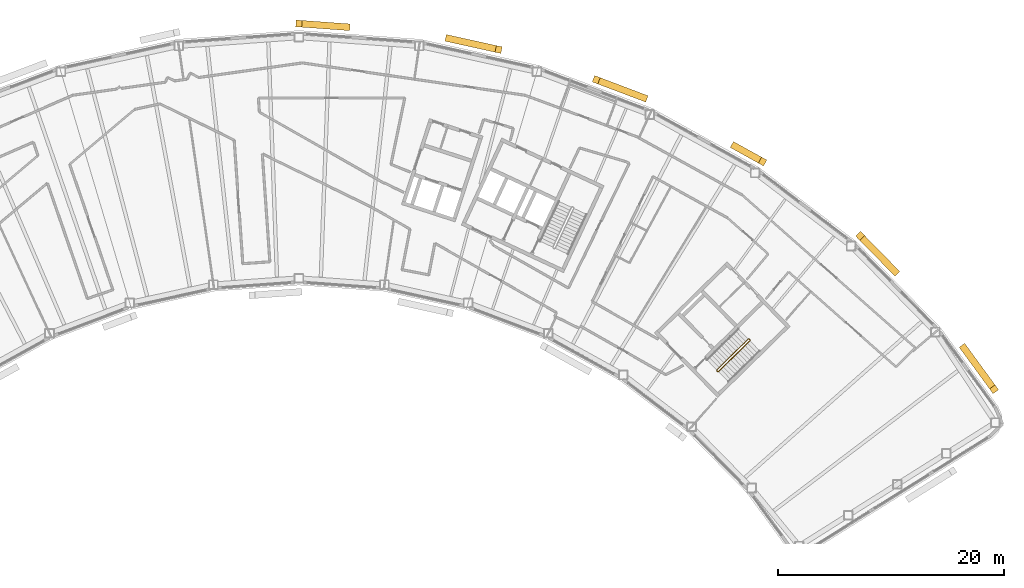
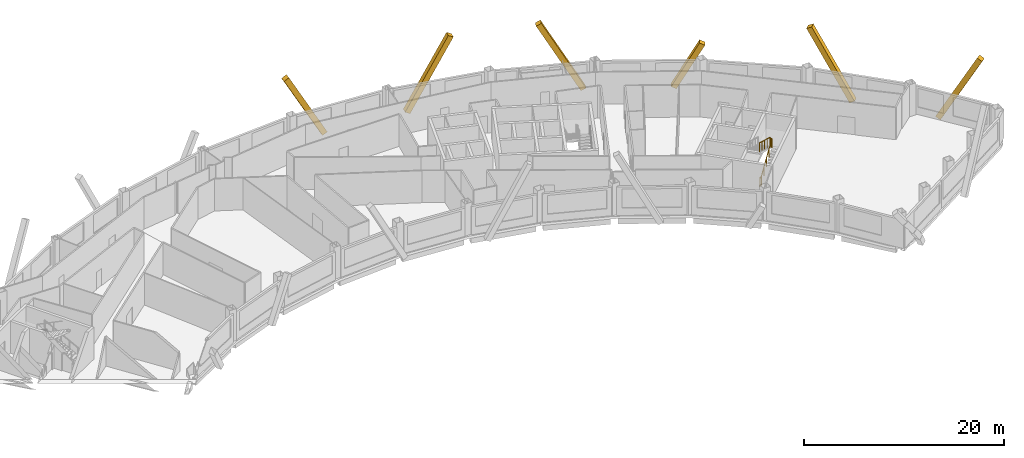
# One storey, part 14 of 14: 6 coverings, 1 railing.
"""IFC4 building model written with IfcOpenShell, lengths in metres."""

from ifc_helpers import new_model, si_unit, direction, frame, origin, origin_2d, place, context, subcontext, project, spatial, rectangle, circle, extrude, material, material_profile, profile_set, type_object, element, save


model = new_model("IFC4")

# Units and contexts
model_context = context("Model", 3, precision=1e-05, world=origin(), true_north=direction((0.0, 1.0)))
body_context = subcontext(model_context, "Body", "Model", "MODEL_VIEW")
ifc_project = project(units=[si_unit("LENGTHUNIT", "METRE"), si_unit("AREAUNIT", "SQUARE_METRE"), si_unit("VOLUMEUNIT", "CUBIC_METRE"), si_unit("PLANEANGLEUNIT", "RADIAN"), si_unit("MASSUNIT", "GRAM", prefix="KILO")], contexts=[model_context])

# Site, building, storey
site_placement = place(None, origin())
site = spatial("IfcSite", under=ifc_project, at=site_placement, CompositionType="ELEMENT")
building_placement = place(site_placement, origin())
building = spatial("IfcBuilding", under=site, at=building_placement, Name="Tuul Gate Civic Tower", CompositionType="ELEMENT")
storey_placement = place(building_placement, frame((0.0, 0.0, 265.199951171875)))
storey = spatial("IfcBuildingStorey", under=building, at=storey_placement, Name="Level 60", CompositionType="ELEMENT", Elevation=265.199951171875)

# Railing
ifc_material_1 = material(Name="Painted steel", Category="steel")
railing_type = type_object("IfcRailingType", Name="Stair guard", PredefinedType="GUARDRAIL", material=ifc_material_1)
railing_placement = place(storey_placement, frame((48.10546875, -16.134765625, 0.0)))
element("IfcRailing", 1, at=railing_placement, inside=storey, type_object=railing_type, Name="Level 60 ST-3 stair guard 1", PredefinedType="GUARDRAIL", context=body_context, shape_type="SweptSolid", body=[
    extrude(circle(Radius=0.02392578125, at=origin_2d()), frame((0.0, 0.0, 1.076171875), z_axis=(-0.698506948293, 0.715603272202, 0.0), x_axis=(-0.715603272202, -0.698506948293, 0.0)), (0.0, 0.0, 1.0), 0.099853515625),
    extrude(circle(Radius=0.02392578125, at=origin_2d()), frame((-0.06982421875, 0.071533203125, 1.076171875), z_axis=(0.644948864628, -0.331432055434, 0.688617277337), x_axis=(0.457068866502, 0.889431307788, 0.0)), (0.0, 0.0, 1.0), 0.218017578125),
    extrude(circle(Radius=0.02392578125, at=origin_2d()), frame((0.07080078125, -0.000732421875, 1.22607421875), z_axis=(0.638731261263, 0.626133563701, 0.447190268558), x_axis=(-0.700029477518, 0.714113947914, 0.0)), (0.0, 0.0, 1.0), 4.3603515625),
    extrude(circle(Radius=0.02392578125, at=origin_2d()), frame((2.85595703125, 2.7294921875, 3.17626953125), z_axis=(0.010380063588, 0.999946125689, 0.0), x_axis=(-0.999946125689, 0.010380063588, 0.0)), (0.0, 0.0, 1.0), 0.070556640625),
    extrude(circle(Radius=0.02392578125, at=origin_2d()), frame((2.856689453125, 2.800048828125, 3.17626953125), z_axis=(-0.699754442181, 0.714383454909, 0.0), x_axis=(-0.714383454909, -0.699754442181, 0.0)), (0.0, 0.0, 1.0), 0.10009765625),
    extrude(circle(Radius=0.02392578125, at=origin_2d()), frame((2.78662109375, 2.87158203125, 3.17626953125), z_axis=(-0.427069033481, 0.004417955519, 0.904208229508), x_axis=(-0.010344274102, -0.999946496565, 0.0)), (0.0, 0.0, 1.0), 0.165771484375),
    extrude(circle(Radius=0.02392578125, at=origin_2d()), frame((2.7158203125, 2.872314453125, 3.326171875), z_axis=(-0.638731261263, -0.626133563701, 0.447190268558), x_axis=(0.700029477518, -0.714113947914, 0.0)), (0.0, 0.0, 1.0), 4.3603515625),
    extrude(circle(Radius=0.02099609375, at=origin_2d()), origin(), (0.0, 0.0, 1.0), 1.052001953125),
    extrude(circle(Radius=0.02099609375, at=origin_2d()), frame((-0.06982421875, 0.071533203125, 0.0)), (0.0, 0.0, 1.0), 1.052001953125),
    extrude(circle(Radius=0.02099609375, at=origin_2d()), frame((0.07080078125, -0.000732421875, 0.150146484375)), (0.0, 0.0, 1.0), 1.052001953125),
    extrude(circle(Radius=0.02099609375, at=origin_2d()), frame((0.76708984375, 0.681884765625, 0.6376953125)), (0.0, 0.0, 1.0), 1.052001953125),
    extrude(circle(Radius=0.02099609375, at=origin_2d()), frame((1.46337890625, 1.3642578125, 1.125)), (0.0, 0.0, 1.0), 1.052001953125),
    extrude(circle(Radius=0.02099609375, at=origin_2d()), frame((2.15966796875, 2.046875, 1.612548828125)), (0.0, 0.0, 1.0), 1.052001953125),
    extrude(circle(Radius=0.02099609375, at=origin_2d()), frame((2.85595703125, 2.7294921875, 2.10009765625)), (0.0, 0.0, 1.0), 1.052001953125),
    extrude(circle(Radius=0.02099609375, at=origin_2d()), frame((2.856689453125, 2.800048828125, 2.10009765625)), (0.0, 0.0, 1.0), 1.052001953125),
    extrude(circle(Radius=0.02099609375, at=origin_2d()), frame((2.78662109375, 2.87158203125, 2.10009765625)), (0.0, 0.0, 1.0), 1.052001953125),
    extrude(circle(Radius=0.02099609375, at=origin_2d()), frame((2.7158203125, 2.872314453125, 2.25)), (0.0, 0.0, 1.0), 1.052001953125),
    extrude(circle(Radius=0.02099609375, at=origin_2d()), frame((2.01953125, 2.189697265625, 2.737548828125)), (0.0, 0.0, 1.0), 1.052001953125),
    extrude(circle(Radius=0.02099609375, at=origin_2d()), frame((1.3232421875, 1.50732421875, 3.22509765625)), (0.0, 0.0, 1.0), 1.052001953125),
    extrude(circle(Radius=0.02099609375, at=origin_2d()), frame((0.626953125, 0.82470703125, 3.71240234375)), (0.0, 0.0, 1.0), 1.052001953125),
    extrude(circle(Radius=0.02099609375, at=origin_2d()), frame((-0.0693359375, 0.14208984375, 4.199951171875)), (0.0, 0.0, 1.0), 1.052001953125),
])

# Coverings
ifc_material_2 = material(Name="Terracotta baguette", Category="masonry")
ifc_material_profile = material_profile(ifc_material_2, rectangle(XDim=0.60009765625, YDim=0.60009765625, at=origin_2d()), Name="Terracotta baguette screen frame")
ifc_profile_set = profile_set([ifc_material_profile], Name="Terracotta baguette")
covering_type = type_object("IfcCoveringType", Name="Terracotta baguette screen frame", PredefinedType="CLADDING", material=ifc_profile_set)
covering_1_placement = place(storey_placement, frame((72.5908203125, -17.710205078125, 8.050048828125), z_axis=(-0.281370554037, 0.385233710888, -0.878877465473), x_axis=(-0.807537279361, -0.589816532866, 0.0)))
element("IfcCovering", 2, at=covering_1_placement, inside=storey, type_object=covering_type, Name="Baguette 19", PredefinedType="CLADDING", context=body_context, shape_type="SweptSolid", body=[
    extrude(rectangle(XDim=0.60009765625, YDim=0.60009765625, at=origin_2d()), origin(), (0.0, 0.0, 1.0), 9.5576171875),
])
covering_2_placement = place(storey_placement, frame((60.724609375, -4.1142578125, 7.882568359375), z_axis=(0.332599597015, -0.339331959798, -0.879904159057), x_axis=(0.714155733534, 0.699986848634, 0.0)))
element("IfcCovering", 3, at=covering_2_placement, inside=storey, type_object=covering_type, Name="Baguette 35", PredefinedType="CLADDING", context=body_context, shape_type="SweptSolid", body=[
    extrude(rectangle(XDim=0.60009765625, YDim=0.60009765625, at=origin_2d()), origin(), (0.0, 0.0, 1.0), 9.35595703125),
])
covering_3_placement = place(storey_placement, frame((52.091064453125, 2.45849609375, 4.924560546875), z_axis=(-0.41558860097, 0.230398345324, -0.879887900369), x_axis=(-0.484864067073, -0.874589524555, 0.0)))
element("IfcCovering", 4, at=covering_3_placement, inside=storey, type_object=covering_type, Name="Baguette 42", PredefinedType="CLADDING", context=body_context, shape_type="SweptSolid", body=[
    extrude(rectangle(XDim=0.60009765625, YDim=0.60009765625, at=origin_2d()), origin(), (0.0, 0.0, 1.0), 5.994384765625),
])
covering_4_placement = place(storey_placement, frame((37.35693359375, 9.7021484375, 8.050048828125), z_axis=(0.444449007562, -0.168071746228, -0.879895998284), x_axis=(0.353711403676, 0.935354608108, 0.0)))
element("IfcCovering", 5, at=covering_4_placement, inside=storey, type_object=covering_type, Name="Baguette 56", PredefinedType="CLADDING", context=body_context, shape_type="SweptSolid", body=[
    extrude(rectangle(XDim=0.60009765625, YDim=0.60009765625, at=origin_2d()), origin(), (0.0, 0.0, 1.0), 9.54638671875),
])
covering_5_placement = place(storey_placement, frame((28.71337890625, 12.38134765625, 8.050048828125), z_axis=(-0.464056838947, 0.102268450289, -0.879882045675), x_axis=(-0.215214937511, -0.976566705695, 0.0)))
element("IfcCovering", 6, at=covering_5_placement, inside=storey, type_object=covering_type, Name="Baguette 61", PredefinedType="CLADDING", context=body_context, shape_type="SweptSolid", body=[
    extrude(rectangle(XDim=0.60009765625, YDim=0.60009765625, at=origin_2d()), origin(), (0.0, 0.0, 1.0), 9.546630859375),
])
covering_6_placement = place(storey_placement, frame((11.031005859375, 14.677001953125, 7.55078125), z_axis=(0.473922775206, -0.034313857849, -0.879897586257), x_axis=(0.072214861862, 0.99738909846, 0.0)))
element("IfcCovering", 7, at=covering_6_placement, inside=storey, type_object=covering_type, Name="Baguette 77", PredefinedType="CLADDING", context=body_context, shape_type="SweptSolid", body=[
    extrude(rectangle(XDim=0.60009765625, YDim=0.60009765625, at=origin_2d()), origin(), (0.0, 0.0, 1.0), 8.97900390625),
])

save(model, "model.ifc")
